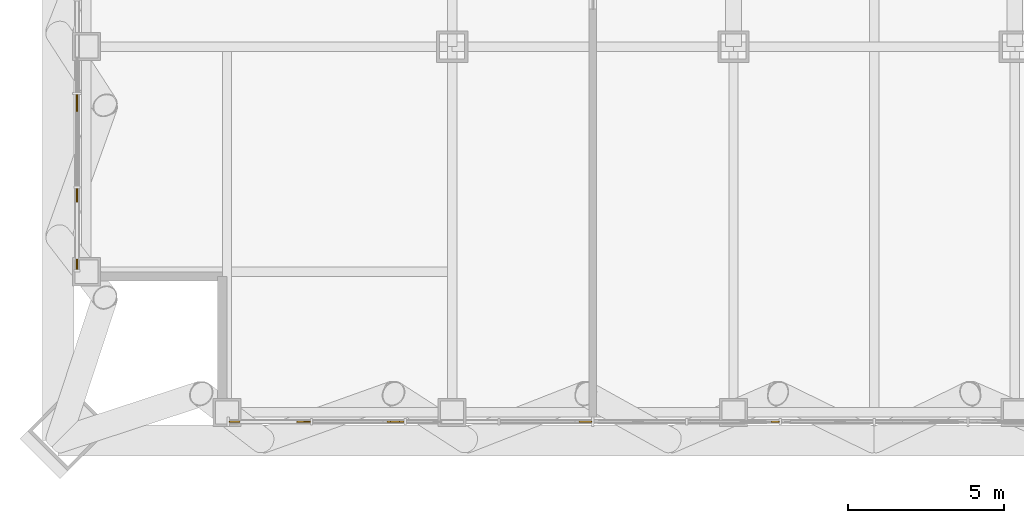
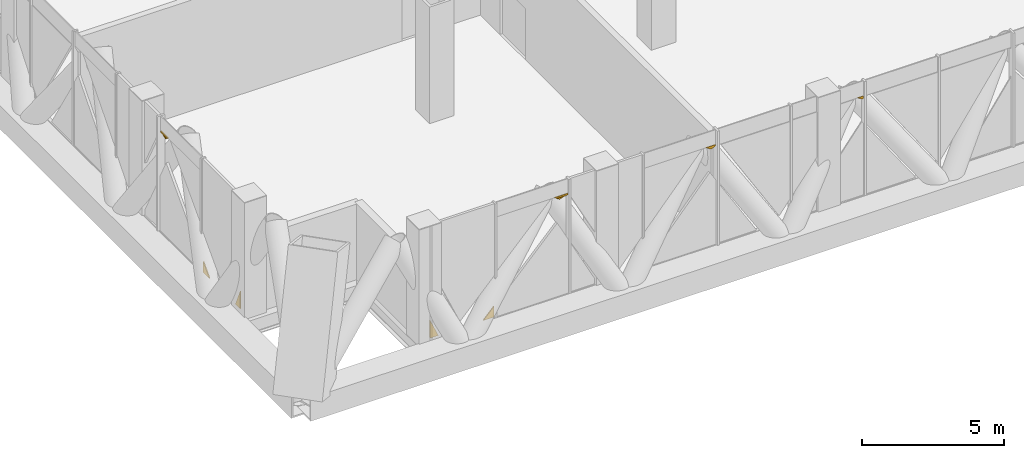
# One storey, part 18 of 26: 10 coverings.
"""IFC4 building model written with IfcOpenShell, lengths in metres."""

from ifc_helpers import new_model, si_unit, direction, frame, origin, place, context, subcontext, project, spatial, polyline, outline, extrude, material, layer, layer_set, type_object, element, save


model = new_model("IFC4")

# Units and contexts
model_context = context("Model", 3, precision=1e-05, world=origin(), true_north=direction((0.0, 1.0)))
body_context = subcontext(model_context, "Body", "Model", "MODEL_VIEW")
ifc_project = project(units=[si_unit("LENGTHUNIT", "METRE"), si_unit("AREAUNIT", "SQUARE_METRE"), si_unit("VOLUMEUNIT", "CUBIC_METRE"), si_unit("PLANEANGLEUNIT", "RADIAN"), si_unit("MASSUNIT", "GRAM", prefix="KILO")], contexts=[model_context])

# Site, building, storey
site_placement = place(None, origin())
site = spatial("IfcSite", under=ifc_project, at=site_placement, CompositionType="ELEMENT")
building_placement = place(site_placement, origin())
building = spatial("IfcBuilding", under=site, at=building_placement, Name="Malebo Sky Hospital", CompositionType="ELEMENT")
storey_placement = place(building_placement, frame((0.0, 0.0, 95.0)))
storey = spatial("IfcBuildingStorey", under=building, at=storey_placement, Name="L22", CompositionType="ELEMENT", Elevation=95.0)

# Coverings
ifc_material = material(Name="Anodised aluminium, natural silver insulated infill panel", Category="aluminium")
ifc_layer = layer(ifc_material, 0.0400390625)
ifc_layer_set = layer_set([ifc_layer], Name="BRACE INFILL PANEL 40")
covering_type = type_object("IfcCoveringType", Name="BRACE INFILL PANEL 40", PredefinedType="CLADDING", material=ifc_layer_set)
covering_1_placement = place(storey_placement, frame((34.5, 41.541259765625, 0.10009765625), z_axis=(0.0, 0.0, 1.0), x_axis=(0.0, 1.0, 0.0)))
element("IfcCovering", 1, at=covering_1_placement, inside=storey, type_object=covering_type, Name="Brace infill panel 1.1", PredefinedType="CLADDING", context=body_context, shape_type="SweptSolid", body=[
    extrude(outline(polyline([(-0.166015625, 0.0), (0.166259765625, 0.0), (-0.166015625, 0.75830078125), (-0.166015625, 0.0)])), frame((0.0, 0.02001953125, 0.0), z_axis=(0.0, -1.0, 0.0), x_axis=(1.0, 0.0, 0.0)), (0.0, 0.0, 1.0), 0.0400390625),
])
covering_2_placement = place(storey_placement, frame((34.5, 43.746337890625, 0.10009765625), z_axis=(0.0, 0.0, 1.0), x_axis=(0.0, 1.0, 0.0)))
element("IfcCovering", 2, at=covering_2_placement, inside=storey, type_object=covering_type, Name="Brace infill panel 1.2", PredefinedType="CLADDING", context=body_context, shape_type="SweptSolid", body=[
    extrude(outline(polyline([(-0.2158203125, 0.0), (0.216064453125, 0.0), (0.216064453125, 0.457763671875), (-0.2158203125, 0.0)])), frame((0.0, 0.02001953125, 0.0), z_axis=(0.0, -1.0, 0.0), x_axis=(1.0, 0.0, 0.0)), (0.0, 0.0, 1.0), 0.0400390625),
])
covering_3_placement = place(storey_placement, frame((34.5, 46.670654296875, 4.21240234375), z_axis=(0.0, 0.0, 1.0), x_axis=(0.0, 1.0, 0.0)))
element("IfcCovering", 3, at=covering_3_placement, inside=storey, type_object=covering_type, Name="Brace infill panel 2.3", PredefinedType="CLADDING", context=body_context, shape_type="SweptSolid", body=[
    extrude(outline(polyline([(-0.03759765625, 0.0), (0.14794921875, 0.077880859375), (-0.14794921875, 0.077880859375), (-0.03759765625, 0.0)])), frame((0.0, 0.02001953125, 0.0), z_axis=(0.0, -1.0, 0.0), x_axis=(1.0, 0.0, 0.0)), (0.0, 0.0, 1.0), 0.0400390625),
])
covering_4_placement = place(storey_placement, frame((34.5, 46.69091796875, 4.2900390625), z_axis=(0.0, 0.0, 1.0), x_axis=(0.0, 1.0, 0.0)))
element("IfcCovering", 4, at=covering_4_placement, inside=storey, type_object=covering_type, Name="Brace infill panel 2.4", PredefinedType="CLADDING", context=body_context, shape_type="SweptSolid", body=[
    extrude(outline(polyline([(-0.168212890625, 0.0), (0.271484375, 0.0), (0.271484375, 0.072998046875), (-0.271484375, 0.072998046875), (-0.168212890625, 0.0)])), frame((0.0, 0.02001953125, 0.0), z_axis=(0.0, -1.0, 0.0), x_axis=(1.0, 0.0, 0.0)), (0.0, 0.0, 1.0), 0.0400390625),
])
covering_5_placement = place(storey_placement, frame((56.83837890625, 36.5, 4.21337890625), z_axis=(0.0, 0.0, 1.0), x_axis=(-1.0, 0.0, 0.0)))
element("IfcCovering", 5, at=covering_5_placement, inside=storey, type_object=covering_type, Name="Brace infill panel 9.3", PredefinedType="CLADDING", context=body_context, shape_type="SweptSolid", body=[
    extrude(outline(polyline([(-0.08837890625, 0.0), (0.1240234375, 0.124755859375), (-0.1240234375, 0.124755859375), (-0.1240234375, 0.018798828125), (-0.08837890625, 0.0)])), frame((0.0, 0.02001953125, 0.0), z_axis=(0.0, -1.0, 0.0), x_axis=(1.0, 0.0, 0.0)), (0.0, 0.0, 1.0), 0.0400390625),
])
covering_6_placement = place(storey_placement, frame((50.76416015625, 36.5, 4.212890625), z_axis=(0.0, 0.0, 1.0), x_axis=(-1.0, 0.0, 0.0)))
element("IfcCovering", 6, at=covering_6_placement, inside=storey, type_object=covering_type, Name="Brace infill panel 11.3", PredefinedType="CLADDING", context=body_context, shape_type="SweptSolid", body=[
    extrude(outline(polyline([(-0.015625, 0.0), (0.1982421875, 0.138427734375), (-0.1982421875, 0.138427734375), (-0.1982421875, 0.08642578125), (-0.015625, 0.0)])), frame((0.0, 0.02001953125, 0.0), z_axis=(0.0, -1.0, 0.0), x_axis=(1.0, 0.0, 0.0)), (0.0, 0.0, 1.0), 0.0400390625),
])
covering_7_placement = place(storey_placement, frame((44.670654296875, 36.5, 4.21240234375), z_axis=(0.0, 0.0, 1.0), x_axis=(-1.0, 0.0, 0.0)))
element("IfcCovering", 7, at=covering_7_placement, inside=storey, type_object=covering_type, Name="Brace infill panel 13.3", PredefinedType="CLADDING", context=body_context, shape_type="SweptSolid", body=[
    extrude(outline(polyline([(0.03759765625, 0.0), (0.14794921875, 0.077880859375), (-0.14794921875, 0.077880859375), (0.03759765625, 0.0)])), frame((0.0, 0.02001953125, 0.0), z_axis=(0.0, -1.0, 0.0), x_axis=(1.0, 0.0, 0.0)), (0.0, 0.0, 1.0), 0.0400390625),
])
covering_8_placement = place(storey_placement, frame((44.69091796875, 36.5, 4.2900390625), z_axis=(0.0, 0.0, 1.0), x_axis=(-1.0, 0.0, 0.0)))
element("IfcCovering", 8, at=covering_8_placement, inside=storey, type_object=covering_type, Name="Brace infill panel 13.4", PredefinedType="CLADDING", context=body_context, shape_type="SweptSolid", body=[
    extrude(outline(polyline([(-0.271484375, 0.0), (0.168212890625, 0.0), (0.271484375, 0.072998046875), (-0.271484375, 0.072998046875), (-0.271484375, 0.0)])), frame((0.0, 0.02001953125, 0.0), z_axis=(0.0, -1.0, 0.0), x_axis=(1.0, 0.0, 0.0)), (0.0, 0.0, 1.0), 0.0400390625),
])
covering_9_placement = place(storey_placement, frame((41.746337890625, 36.5, 0.10009765625), z_axis=(0.0, 0.0, 1.0), x_axis=(-1.0, 0.0, 0.0)))
element("IfcCovering", 9, at=covering_9_placement, inside=storey, type_object=covering_type, Name="Brace infill panel 14.1", PredefinedType="CLADDING", context=body_context, shape_type="SweptSolid", body=[
    extrude(outline(polyline([(-0.216064453125, 0.0), (0.2158203125, 0.0), (-0.216064453125, 0.457763671875), (-0.216064453125, 0.0)])), frame((0.0, 0.02001953125, 0.0), z_axis=(0.0, -1.0, 0.0), x_axis=(1.0, 0.0, 0.0)), (0.0, 0.0, 1.0), 0.0400390625),
])
covering_10_placement = place(storey_placement, frame((39.541259765625, 36.5, 0.10009765625), z_axis=(0.0, 0.0, 1.0), x_axis=(-1.0, 0.0, 0.0)))
element("IfcCovering", 10, at=covering_10_placement, inside=storey, type_object=covering_type, Name="Brace infill panel 14.2", PredefinedType="CLADDING", context=body_context, shape_type="SweptSolid", body=[
    extrude(outline(polyline([(-0.166259765625, 0.0), (0.166015625, 0.0), (0.166015625, 0.75830078125), (-0.166259765625, 0.0)])), frame((0.0, 0.02001953125, 0.0), z_axis=(0.0, -1.0, 0.0), x_axis=(1.0, 0.0, 0.0)), (0.0, 0.0, 1.0), 0.0400390625),
])

save(model, "model.ifc")
